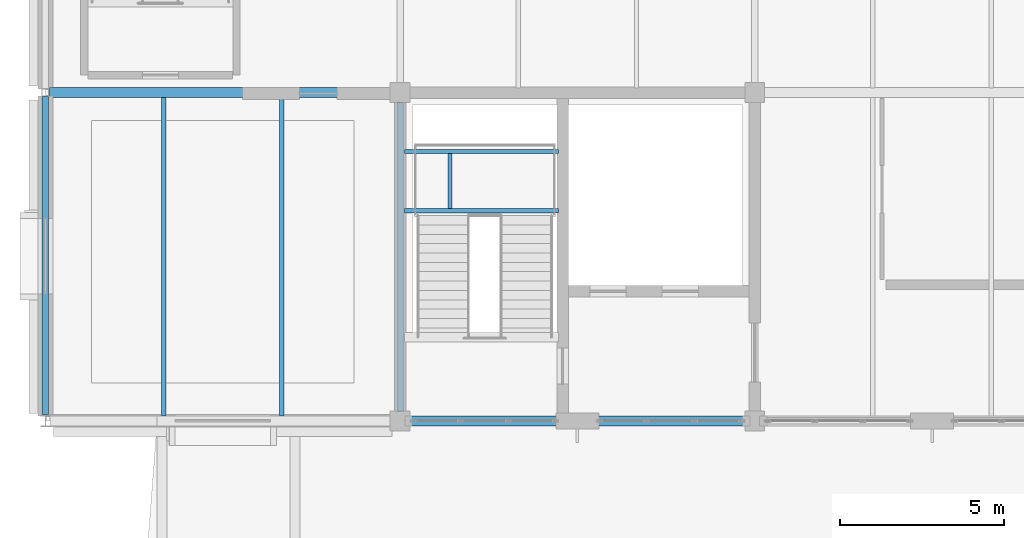
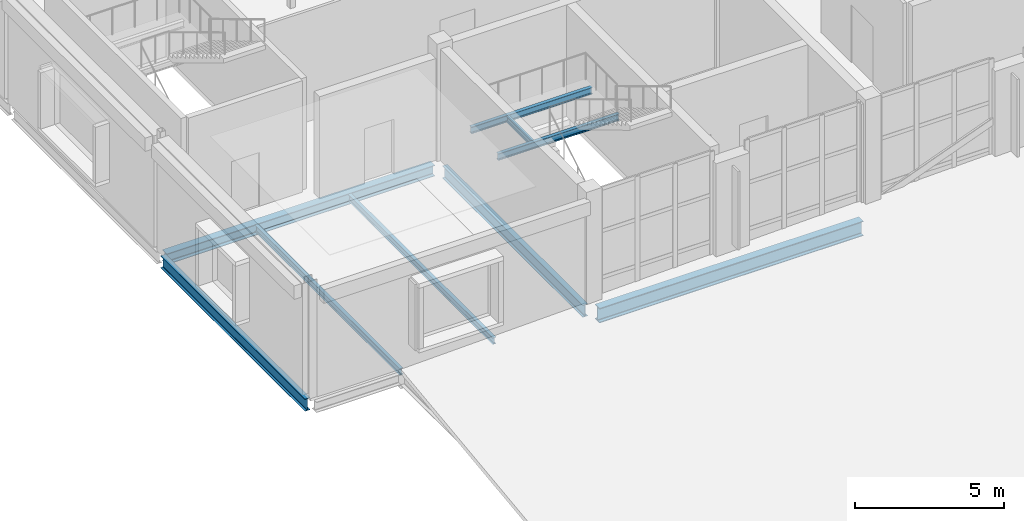
# One storey, part 15 of 86: 9 beams.
"""IFC4 building model written with IfcOpenShell, lengths in metres."""

from ifc_helpers import new_model, si_unit, direction, frame, origin, origin_2d, place, context, subcontext, project, spatial, i_section, extrude, material, material_profile, profile_set, type_object, element, save


model = new_model("IFC4")

# Units and contexts
model_context = context("Model", 3, precision=1e-05, world=origin(), true_north=direction((0.0, 1.0)))
body_context = subcontext(model_context, "Body", "Model", "MODEL_VIEW")
ifc_project = project(units=[si_unit("LENGTHUNIT", "METRE"), si_unit("AREAUNIT", "SQUARE_METRE"), si_unit("VOLUMEUNIT", "CUBIC_METRE"), si_unit("PLANEANGLEUNIT", "RADIAN"), si_unit("MASSUNIT", "GRAM", prefix="KILO")], contexts=[model_context])

# Site, building, storey
site_placement = place(None, origin())
site = spatial("IfcSite", under=ifc_project, at=site_placement, CompositionType="ELEMENT")
building_placement = place(site_placement, origin())
building = spatial("IfcBuilding", under=site, at=building_placement, Name="Tasgan Crest Museum", CompositionType="ELEMENT")
storey_placement = place(building_placement, frame((0.0, 0.0, 24.0)))
storey = spatial("IfcBuildingStorey", under=building, at=storey_placement, Name="L04", CompositionType="ELEMENT", Elevation=24.0)

# Beams
ifc_material_1 = material(Name="Steel S355K2", Category="steel")
ifc_material_profile_1 = material_profile(ifc_material_1, i_section(OverallWidth=0.300048828125, OverallDepth=0.60009765625, WebThickness=0.015380859375, FlangeThickness=0.030029296875, FilletRadius=0.027099609375, at=origin_2d()), Name="HEB 600")
ifc_profile_set_1 = profile_set([ifc_material_profile_1], Name="Steel S355K2")
beam_type_1 = type_object("IfcBeamType", Name="BM-CANT-G1", PredefinedType="BEAM", material=ifc_profile_set_1)
beam_1_placement = place(storey_placement, frame((11.095947265625, 82.0, -0.5400390625), z_axis=(1.0, 0.0, 0.0), x_axis=(0.0, 1.0, 0.0)))
element("IfcBeam", 1, at=beam_1_placement, inside=storey, type_object=beam_type_1, Name="Transfer back-span girder 1 TOP J", PredefinedType="BEAM", context=body_context, shape_type="SweptSolid", body=[
    extrude(i_section(OverallWidth=0.300048828125, OverallDepth=0.60009765625, WebThickness=0.015380859375, FlangeThickness=0.030029296875, FilletRadius=0.027099609375, at=origin_2d()), origin(), (0.0, 0.0, 1.0), 10.2080078125),
])
ifc_material_2 = material(Name="Steel S355J2", Category="steel")
ifc_material_profile_2 = material_profile(ifc_material_2, i_section(OverallWidth=0.300048828125, OverallDepth=0.43994140625, WebThickness=0.011474609375, FlangeThickness=0.02099609375, FilletRadius=0.027099609375, at=origin_2d()), Name="HEA 450")
ifc_profile_set_2 = profile_set([ifc_material_profile_2], Name="Steel S355J2")
beam_type_2 = type_object("IfcBeamType", Name="BM-G-HEA450", PredefinedType="BEAM", material=ifc_profile_set_2)
beam_2_placement = place(storey_placement, frame((0.1259765625, 92.0, -0.4599609375), z_axis=(1.0, 0.0, 0.0), x_axis=(0.0, 1.0, 0.0)))
element("IfcBeam", 2, at=beam_2_placement, inside=storey, type_object=beam_type_2, Name="Girder L04 K 0.0-10.8", PredefinedType="BEAM", context=body_context, shape_type="SweptSolid", body=[
    extrude(i_section(OverallWidth=0.300048828125, OverallDepth=0.43994140625, WebThickness=0.011474609375, FlangeThickness=0.02099609375, FilletRadius=0.027099609375, at=origin_2d()), origin(), (0.0, 0.0, 1.0), 10.3779296875),
])
ifc_material_3 = material(Name="Steel S355J2", Category="steel")
ifc_material_profile_3 = material_profile(ifc_material_3, i_section(OverallWidth=0.199951171875, OverallDepth=0.5, WebThickness=0.01025390625, FlangeThickness=0.01611328125, FilletRadius=0.02099609375, at=origin_2d()), Name="IPE 500")
ifc_profile_set_3 = profile_set([ifc_material_profile_3], Name="Steel S355J2")
beam_type_3 = type_object("IfcBeamType", Name="BM-G-IPE500", PredefinedType="BEAM", material=ifc_profile_set_3)
beam_3_placement = place(storey_placement, frame((0.0, 82.195068359375, -0.489990234375), z_axis=(0.0, 1.0, 0.0), x_axis=(-1.0, 0.0, 0.0)))
element("IfcBeam", 3, at=beam_3_placement, inside=storey, type_object=beam_type_3, Name="Beam L04 1 82.0-92.0", PredefinedType="BEAM", context=body_context, shape_type="SweptSolid", body=[
    extrude(i_section(OverallWidth=0.199951171875, OverallDepth=0.5, WebThickness=0.01025390625, FlangeThickness=0.01611328125, FilletRadius=0.02099609375, at=origin_2d()), origin(), (0.0, 0.0, 1.0), 9.679931640625),
])
beam_4_placement = place(storey_placement, frame((10.800048828125, 82.294921875, -0.489990234375), z_axis=(0.0, 1.0, 0.0), x_axis=(-1.0, 0.0, 0.0)))
element("IfcBeam", 4, at=beam_4_placement, inside=storey, type_object=beam_type_3, Name="Beam L04 2 82.0-92.0", PredefinedType="BEAM", context=body_context, shape_type="SweptSolid", body=[
    extrude(i_section(OverallWidth=0.199951171875, OverallDepth=0.5, WebThickness=0.01025390625, FlangeThickness=0.01611328125, FilletRadius=0.02099609375, at=origin_2d()), origin(), (0.0, 0.0, 1.0), 9.41015625),
])
ifc_material_4 = material(Name="Steel S355J2", Category="steel")
ifc_material_profile_4 = material_profile(ifc_material_4, i_section(OverallWidth=0.135009765625, OverallDepth=0.27001953125, WebThickness=0.006591796875, FlangeThickness=0.01025390625, FilletRadius=0.014892578125, at=origin_2d()), Name="IPE 270")
ifc_profile_set_4 = profile_set([ifc_material_profile_4], Name="Steel S355J2")
beam_type_4 = type_object("IfcBeamType", Name="BM-J-IPE270", PredefinedType="JOIST", material=ifc_profile_set_4)
for number, where, z_axis, x_axis, name in (
    (5, (3.60009765625, 82.14501953125, -0.375), (0.0, 1.0, 0.0), (-1.0, 0.0, 0.0), "Secondary joist L04 X=3.6 Y=82.0-92.0"),
    (6, (7.199951171875, 82.14501953125, -0.375), (0.0, 1.0, 0.0), (-1.0, 0.0, 0.0), "Secondary joist L04 X=7.2 Y=82.0-92.0"),
):
    element("IfcBeam", number, at=place(storey_placement, frame(where, z_axis=z_axis, x_axis=x_axis)), inside=storey, type_object=beam_type_4, Name=name, PredefinedType="JOIST", context=body_context, shape_type="SweptSolid", body=[
        extrude(i_section(OverallWidth=0.135009765625, OverallDepth=0.27001953125, WebThickness=0.006591796875, FlangeThickness=0.01025390625, FilletRadius=0.014892578125, at=origin_2d()), origin(), (0.0, 0.0, 1.0), 9.7099609375),
    ])
ifc_material_5 = material(Name="Steel S355J2", Category="steel")
ifc_material_profile_5 = material_profile(ifc_material_5, i_section(OverallWidth=0.1201171875, OverallDepth=0.239990234375, WebThickness=0.006103515625, FlangeThickness=0.009765625, FilletRadius=0.014892578125, at=origin_2d()), Name="IPE 240")
ifc_profile_set_5 = profile_set([ifc_material_profile_5], Name="Steel S355J2")
beam_type_5 = type_object("IfcBeamType", Name="BM-LAND-IPE240", PredefinedType="BEAM", material=ifc_profile_set_5)
beam_5_placement = place(storey_placement, frame((12.324951171875, 88.465087890625, 2.080078125), z_axis=(0.0, 1.0, 0.0), x_axis=(-1.0, 0.0, 0.0)))
element("IfcBeam", 7, at=beam_5_placement, inside=storey, type_object=beam_type_5, Name="Stair half-landing crossbeam ST-NW-L04 T1", PredefinedType="BEAM", context=body_context, shape_type="SweptSolid", body=[
    extrude(i_section(OverallWidth=0.1201171875, OverallDepth=0.239990234375, WebThickness=0.006103515625, FlangeThickness=0.009765625, FilletRadius=0.014892578125, at=origin_2d()), origin(), (0.0, 0.0, 1.0), 1.679931640625),
])
ifc_material_6 = material(Name="Steel S355J2", Category="steel")
ifc_material_profile_6 = material_profile(ifc_material_6, i_section(OverallWidth=0.135009765625, OverallDepth=0.27001953125, WebThickness=0.006591796875, FlangeThickness=0.01025390625, FilletRadius=0.014892578125, at=origin_2d()), Name="IPE 270")
ifc_profile_set_6 = profile_set([ifc_material_profile_6], Name="Steel S355J2")
beam_type_6 = type_object("IfcBeamType", Name="BM-LAND-IPE270", PredefinedType="BEAM", material=ifc_profile_set_6)
for number, where, z_axis, x_axis, name in (
    (8, (10.929931640625, 88.405029296875, 2.06494140625), (1.0, 0.0, 0.0), (0.0, 1.0, 0.0), "Stair half-landing beam ST-NW-L04 T1F"),
    (9, (10.929931640625, 90.205078125, 2.06494140625), (1.0, 0.0, 0.0), (0.0, 1.0, 0.0), "Stair half-landing beam ST-NW-L04 T1B"),
):
    element("IfcBeam", number, at=place(storey_placement, frame(where, z_axis=z_axis, x_axis=x_axis)), inside=storey, type_object=beam_type_6, Name=name, PredefinedType="BEAM", context=body_context, shape_type="SweptSolid", body=[
        extrude(i_section(OverallWidth=0.135009765625, OverallDepth=0.27001953125, WebThickness=0.006591796875, FlangeThickness=0.01025390625, FilletRadius=0.014892578125, at=origin_2d()), origin(), (0.0, 0.0, 1.0), 4.690185546875),
    ])

save(model, "model.ifc")
